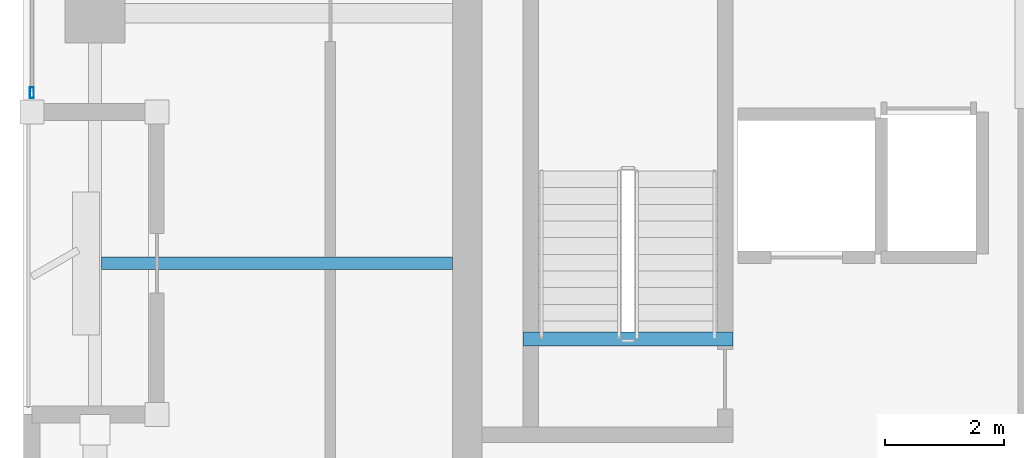
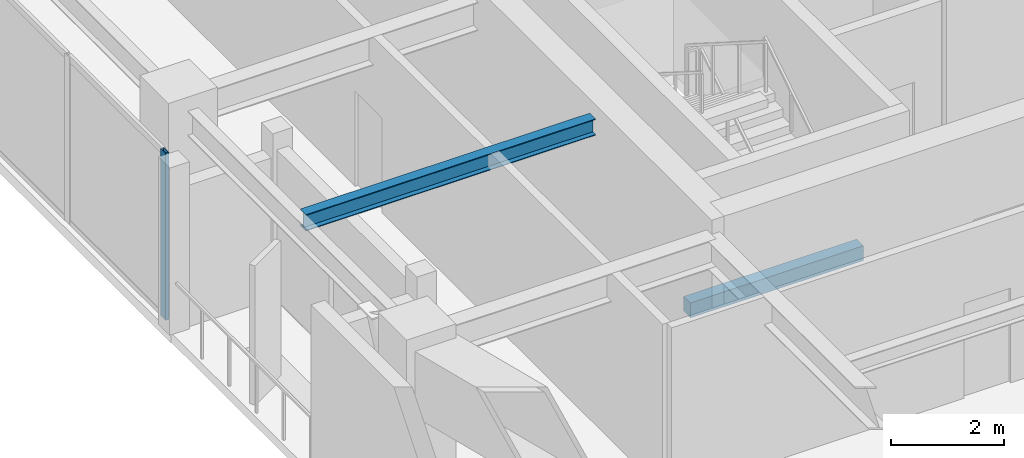
# One storey, part 2 of 15: 2 beams, 1 member, 1 element without a shape of its own.
"""IFC4 building model written with IfcOpenShell, lengths in metres."""

from ifc_helpers import new_model, si_unit, direction, frame, origin, origin_2d, place, context, subcontext, project, spatial, rectangle, hollow_rectangle, i_section, extrude, material, layer, layer_set, material_profile, profile_set, type_object, element, aggregate, save


model = new_model("IFC4")

# Units and contexts
model_context = context("Model", 3, precision=1e-05, world=origin(), true_north=direction((0.0, 1.0)))
body_context = subcontext(model_context, "Body", "Model", "MODEL_VIEW")
ifc_project = project(units=[si_unit("LENGTHUNIT", "METRE"), si_unit("AREAUNIT", "SQUARE_METRE"), si_unit("VOLUMEUNIT", "CUBIC_METRE"), si_unit("PLANEANGLEUNIT", "RADIAN"), si_unit("MASSUNIT", "GRAM", prefix="KILO")], contexts=[model_context])

# Site, building, storey
site_placement = place(None, origin())
site = spatial("IfcSite", under=ifc_project, at=site_placement, CompositionType="ELEMENT")
building_placement = place(site_placement, origin())
building = spatial("IfcBuilding", under=site, at=building_placement, Name="Kiyonajd Concourse Tower", CompositionType="ELEMENT")
storey_placement = place(building_placement, frame((0.0, 0.0, 278.39990234375)))
storey = spatial("IfcBuildingStorey", under=building, at=storey_placement, Name="L70", CompositionType="ELEMENT", Elevation=278.39990234375)

# Beams
ifc_material_1 = material(Name="Steel ASTM A992 Grade 50", Category="steel")
ifc_material_profile_1 = material_profile(ifc_material_1, i_section(OverallWidth=0.205078125, OverallDepth=0.35400390625, WebThickness=0.009521484375, FlangeThickness=0.016845703125, at=origin_2d()), Name="W360X79")
ifc_profile_set_1 = profile_set([ifc_material_profile_1], Name="Steel ASTM A992 Grade 50")
beam_type_1 = type_object("IfcBeamType", Name="BM-JST-360", PredefinedType="JOIST", material=ifc_profile_set_1)
beam_1_placement = place(storey_placement, frame((26.505615234375, 31.800048828125, 3.423095703125), z_axis=(1.0, 0.0, 0.0), x_axis=(0.0, 1.0, 0.0)))
element("IfcBeam", 1, at=beam_1_placement, inside=storey, type_object=beam_type_1, Name="L70 West Secondary Floor Joist", PredefinedType="JOIST", context=body_context, shape_type="SweptSolid", body=[
    extrude(i_section(OverallWidth=0.205078125, OverallDepth=0.35400390625, WebThickness=0.009521484375, FlangeThickness=0.016845703125, at=origin_2d()), origin(), (0.0, 0.0, 1.0), 5.894287109375),
])
ifc_material_2 = material(Name="Concrete C50/60", Category="concrete")
ifc_material_profile_2 = material_profile(ifc_material_2, rectangle(XDim=0.239990234375, YDim=0.320068359375, at=origin_2d()), Name="RCBM-240x320")
ifc_profile_set_2 = profile_set([ifc_material_profile_2], Name="Concrete C50/60")
beam_type_2 = type_object("IfcBeamType", Name="BM-LNT-250", PredefinedType="LINTEL", material=ifc_profile_set_2)
beam_2_placement = place(storey_placement, frame((33.590087890625, 30.530029296875, -0.159912109375), z_axis=(1.0, 0.0, 0.0), x_axis=(0.0, 1.0, 0.0)))
element("IfcBeam", 2, at=beam_2_placement, inside=storey, type_object=beam_type_2, Name="L70 Stair ST1 Threshold Support Beam", PredefinedType="LINTEL", context=body_context, shape_type="SweptSolid", body=[
    extrude(rectangle(XDim=0.239990234375, YDim=0.320068359375, at=origin_2d()), origin(), (0.0, 0.0, 1.0), 3.52001953125),
])

# Curtain wall, member
ifc_material_3 = material(Name="Thermally Broken Anodised Aluminium", Category="aluminium")
ifc_layer = layer(ifc_material_3, 0.179931640625)
ifc_layer_set = layer_set([ifc_layer], Name="Thermally Broken Anodised Aluminium")
curtain_wall_type = type_object("IfcCurtainWallType", Name="CW-SYS-04", PredefinedType="NOTDEFINED", material=ifc_layer_set)
curtain_wall_placement = place(storey_placement, origin())
curtain_wall = element("IfcCurtainWall", 3, at=curtain_wall_placement, inside=storey, type_object=curtain_wall_type, Name="L70 Unitised Curtain Wall CW4", PredefinedType="NOTDEFINED")
ifc_material_profile_3 = material_profile(ifc_material_3, hollow_rectangle(XDim=0.06494140625, YDim=0.179931640625, WallThickness=0.00390625, at=origin_2d()), Name="MULL-65x180")
ifc_profile_set_3 = profile_set([ifc_material_profile_3], Name="Thermally Broken Anodised Aluminium")
member_type = type_object("IfcMemberType", Name="MB-CW-MULL1", PredefinedType="MULLION", material=ifc_profile_set_3)
member_placement = place(storey_placement, frame((25.340087890625, 34.66259765625, 0.0), z_axis=(0.0, 0.0, 1.0), x_axis=(-1.0, 0.0, 0.0)))
member = element("IfcMember", 4, at=member_placement, type_object=member_type, Name="CW4 mullion 1", PredefinedType="MULLION", context=body_context, shape_type="SweptSolid", body=[
    extrude(hollow_rectangle(XDim=0.06494140625, YDim=0.179931640625, WallThickness=0.00390625, at=origin_2d()), origin(), (0.0, 0.0, 1.0), 3.60009765625),
])
aggregate(curtain_wall, [member])

save(model, "model.ifc")
